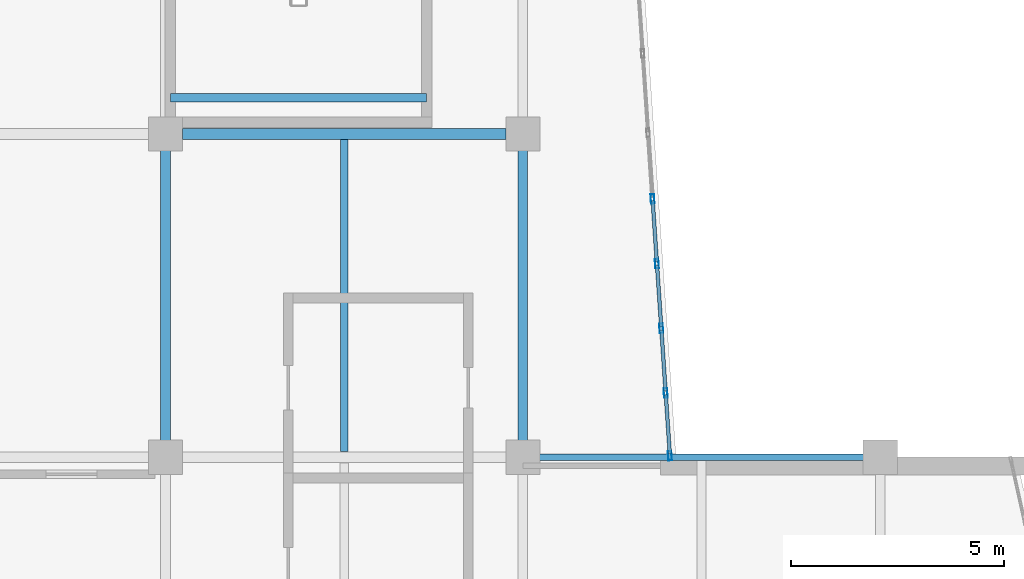
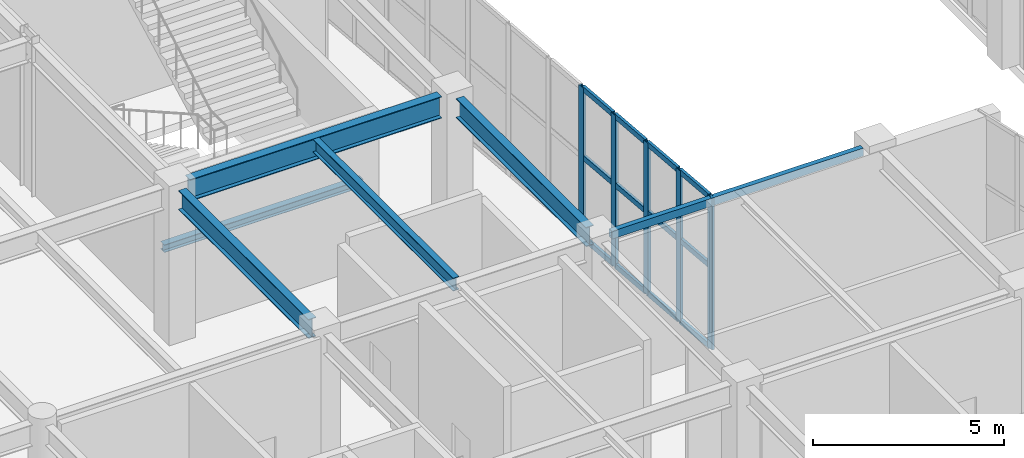
# One storey, part 19 of 128: 17 members, 6 beams, 1 element without a shape of its own.
"""IFC4 building model written with IfcOpenShell, lengths in metres."""

import ifcopenshell
import ifcopenshell.guid

model = None  # the IFC model being written
_history = None  # IfcOwnerHistory: only IFC2X3 demands one
_inside = {}  # id of a spatial element -> (the spatial element, [elements in it])
_under = {}  # id of a project, library or spatial element -> (it, [spatial elements below it])
_declared = {}  # id of a project -> (the project, [libraries it declares])
_typed = {}  # id of a type object -> (the type object, [elements of that type])
_made_of = {}  # id of a material, layer set ... -> (it, [elements and type objects made of it])


def new_model(schema):
    """Start an empty IFC model of exactly this schema.

    Asked for "IFC4X3", IfcOpenShell would pick the latest addendum, in which some entities
    have other attributes; the version numbers below select the first issue.
    IFC2X3 requires an IfcOwnerHistory on every rooted entity: one is made here for all.
    """
    global model, _history
    if schema == "IFC4X3":
        model = ifcopenshell.file(schema_version=(4, 3, 0, 0))
    else:
        model = ifcopenshell.file(schema=schema)
    _inside.clear()
    _under.clear()
    _declared.clear()
    _typed.clear()
    _made_of.clear()
    _history = None
    if model.schema == "IFC2X3":
        org = make("IfcOrganization", Name="unknown")
        user = make(
            "IfcPersonAndOrganization",
            ThePerson=make("IfcPerson", FamilyName="unknown"),
            TheOrganization=org,
        )
        app = make(
            "IfcApplication",
            ApplicationDeveloper=org,
            Version="unknown",
            ApplicationFullName="unknown",
            ApplicationIdentifier="unknown",
        )
        _history = make(
            "IfcOwnerHistory",
            OwningUser=user,
            OwningApplication=app,
            ChangeAction="ADDED",
            CreationDate=0,
        )
    return model


def make(cls, **values):
    """One entity of the class cls with the attributes given. An attribute that is None is left unset."""
    return model.create_entity(
        cls, **{name: value for name, value in values.items() if value is not None}
    )


def rooted(cls, **values):
    """An entity with a GlobalId (a new one), such as an element, a storey or a relation."""
    return make(cls, GlobalId=ifcopenshell.guid.new(), OwnerHistory=_history, **values)


def si_unit(unit_type, name, prefix=None):
    """IfcSIUnit, for example si_unit("LENGTHUNIT", "METRE", prefix="MILLI")."""
    return make("IfcSIUnit", UnitType=unit_type, Prefix=prefix, Name=name)


def assignment(units):
    """IfcUnitAssignment: the units of a project."""
    return None if units is None else make("IfcUnitAssignment", Units=units)


def point(xyz):
    """IfcCartesianPoint."""
    return None if xyz is None else make("IfcCartesianPoint", Coordinates=xyz)


def direction(xyz):
    """IfcDirection."""
    return None if xyz is None else make("IfcDirection", DirectionRatios=xyz)


def frame(location, z_axis=None, x_axis=None):
    """IfcAxis2Placement3D, a coordinate frame: its origin and axes. An axis left out is left unset."""
    return make(
        "IfcAxis2Placement3D",
        Location=point(location),
        Axis=direction(z_axis),
        RefDirection=direction(x_axis),
    )


def frame_2d(location, x_axis=None):
    """IfcAxis2Placement2D, a coordinate frame in the plane: its origin and x axis."""
    return make(
        "IfcAxis2Placement2D", Location=point(location), RefDirection=direction(x_axis)
    )


def origin():
    """The frame at (0, 0, 0) with its axes left unset."""
    return frame((0.0, 0.0, 0.0))


def origin_2d():
    """The frame at (0, 0) in the plane with its x axis left unset."""
    return frame_2d((0.0, 0.0))


def place(relative_to, where):
    """IfcLocalPlacement: puts the frame where relative to a parent placement (None: the world)."""
    return make(
        "IfcLocalPlacement", PlacementRelTo=relative_to, RelativePlacement=where
    )


def context(
    kind, dimensions, precision=None, world=None, true_north=None, identifier=None
):
    """IfcGeometricRepresentationContext, for example the 3D "Model" context."""
    return make(
        "IfcGeometricRepresentationContext",
        ContextIdentifier=identifier,
        ContextType=kind,
        CoordinateSpaceDimension=dimensions,
        Precision=precision,
        WorldCoordinateSystem=world,
        TrueNorth=true_north,
    )


def subcontext(parent, identifier, kind, view, scale=None):
    """IfcGeometricRepresentationSubContext, for example "Body" below "Model"."""
    return make(
        "IfcGeometricRepresentationSubContext",
        ContextIdentifier=identifier,
        ContextType=kind,
        ParentContext=parent,
        TargetScale=scale,
        TargetView=view,
    )


def project(units=None, contexts=None):
    """IfcProject with its units and contexts."""
    return rooted(
        "IfcProject",
        Name="project",
        RepresentationContexts=contexts,
        UnitsInContext=assignment(units),
    )


def spatial(cls, under=None, at=None, **own):
    """A site, building, storey or space (cls), placed at a placement, below another one or the project."""
    s = rooted(cls, ObjectPlacement=at, **own)
    if under is not None:
        _under.setdefault(under.id(), (under, []))[1].append(s)
    return s


def profile(cls, at=None, kind="AREA", **sizes):
    """A parametric profile (cls). Its sizes go by their IFC names, for example OverallWidth=200.0."""
    return make(cls, ProfileType=kind, Position=at, **sizes)


def hollow_rectangle(**sizes):
    """IfcRectangleHollowProfileDef."""
    return profile("IfcRectangleHollowProfileDef", **sizes)


def i_section(**sizes):
    """IfcIShapeProfileDef."""
    return profile("IfcIShapeProfileDef", **sizes)


def extrude(swept, where, along, depth):
    """IfcExtrudedAreaSolid: the profile swept, set in the frame where, extruded along a direction by depth."""
    return make(
        "IfcExtrudedAreaSolid",
        SweptArea=swept,
        Position=where,
        ExtrudedDirection=direction(along),
        Depth=depth,
    )


def shape(context_of_items, identifier, shape_type, items):
    """IfcShapeRepresentation: the items that make up one representation, for example the "Body"."""
    return make(
        "IfcShapeRepresentation",
        ContextOfItems=context_of_items,
        RepresentationIdentifier=identifier,
        RepresentationType=shape_type,
        Items=items,
    )


def material(Name=None, Category=None):
    """IfcMaterial."""
    return make("IfcMaterial", Name=Name, Category=Category)


def layer(
    of_material, thickness, ventilated=None, Name=None, Category=None, Priority=None
):
    """IfcMaterialLayer: one layer of a wall or slab, of a material (None: an air gap)."""
    return make(
        "IfcMaterialLayer",
        Material=of_material,
        LayerThickness=thickness,
        IsVentilated=ventilated,
        Name=Name,
        Category=Category,
        Priority=Priority,
    )


def layer_set(layers, Name=None):
    """IfcMaterialLayerSet."""
    return make("IfcMaterialLayerSet", MaterialLayers=layers, LayerSetName=Name)


def material_profile(
    of_material, cross_section, Name=None, Category=None, Priority=None
):
    """IfcMaterialProfile: a cross section and its material."""
    return make(
        "IfcMaterialProfile",
        Name=Name,
        Material=of_material,
        Profile=cross_section,
        Priority=Priority,
        Category=Category,
    )


def profile_set(profiles, Name=None, composite=None):
    """IfcMaterialProfileSet."""
    return make(
        "IfcMaterialProfileSet",
        Name=Name,
        MaterialProfiles=profiles,
        CompositeProfile=composite,
    )


def made_of(thing, what):
    """Note that an element or type object is made of a material, layer set ...; save() writes the relation."""
    if what is not None:
        _made_of.setdefault(what.id(), (what, []))[1].append(thing)
    return thing


def type_object(cls, material=None, **own):
    """A type object (cls), such as IfcWallType, which elements share."""
    return made_of(rooted(cls, **own), material)


def element(
    cls,
    number,
    at=None,
    inside=None,
    cuts=None,
    type_object=None,
    material=None,
    context=None,
    identifier="Body",
    shape_type=None,
    held_by="IfcProductDefinitionShape",
    body=None,
    shapes=None,
    **own,
):
    """One element of the class cls, such as IfcWall. Its Tag is "e" and its number.

    at: its placement. inside: the storey or other place that contains it. cuts: it is an
    opening in that element (IfcRelVoidsElement). A single representation is given by context,
    identifier, shape_type and body (its items); several are given by shapes. held_by: the class
    of the entity that holds the representations. save() writes the other relations.
    """
    e = rooted(cls, Tag="e%d" % number, ObjectPlacement=at, **own)
    if body is not None:
        shapes = [shape(context, identifier, shape_type, body)]
    if shapes is not None:
        e.Representation = make(held_by, Representations=shapes)
    if inside is not None:
        _inside.setdefault(inside.id(), (inside, []))[1].append(e)
    if cuts is not None:
        rooted(
            "IfcRelVoidsElement", RelatingBuildingElement=cuts, RelatedOpeningElement=e
        )
    if type_object is not None:
        _typed.setdefault(type_object.id(), (type_object, []))[1].append(e)
    return made_of(e, material)


def aggregate(whole, parts):
    """IfcRelAggregates: a whole, such as a stair, and the parts it consists of."""
    return rooted("IfcRelAggregates", RelatingObject=whole, RelatedObjects=parts)


def save(model, path):
    """Write the relations noted so far, then the file.

    IfcRelAggregates (storeys below a building ...), IfcRelContainedInSpatialStructure (elements
    in a storey), IfcRelDefinesByType, IfcRelAssociatesMaterial and IfcRelDeclares: one each for
    every whole, place, type object, material and project.
    """
    for whole, parts in _under.values():
        aggregate(whole, parts)
    for where, things in _inside.values():
        rooted(
            "IfcRelContainedInSpatialStructure",
            RelatedElements=things,
            RelatingStructure=where,
        )
    for kind, things in _typed.values():
        rooted("IfcRelDefinesByType", RelatedObjects=things, RelatingType=kind)
    for what, things in _made_of.values():
        rooted("IfcRelAssociatesMaterial", RelatedObjects=things, RelatingMaterial=what)
    for by, libraries in _declared.values():
        rooted("IfcRelDeclares", RelatingContext=by, RelatedDefinitions=libraries)
    model.write(path)


model = new_model("IFC4")

# Units and contexts
model_context = context("Model", 3, precision=1e-05, world=origin(), true_north=direction((0.0, 1.0)))
body_context = subcontext(model_context, "Body", "Model", "MODEL_VIEW")
ifc_project = project(units=[si_unit("LENGTHUNIT", "METRE"), si_unit("AREAUNIT", "SQUARE_METRE"), si_unit("VOLUMEUNIT", "CUBIC_METRE"), si_unit("PLANEANGLEUNIT", "RADIAN"), si_unit("MASSUNIT", "GRAM", prefix="KILO")], contexts=[model_context])

# Site, building, storey
site_placement = place(None, origin())
site = spatial("IfcSite", under=ifc_project, at=site_placement, CompositionType="ELEMENT")
building_placement = place(site_placement, origin())
building = spatial("IfcBuilding", under=site, at=building_placement, Name="Xicomal Pleat Aquarium", CompositionType="ELEMENT")
storey_placement = place(building_placement, frame((0.0, 0.0, 5.39990234375)))
storey = spatial("IfcBuildingStorey", under=building, at=storey_placement, Name="L02", CompositionType="ELEMENT", Elevation=5.39990234375)

# Beams
ifc_material_1 = material(Name="Structural steel A992 Gr 50", Category="steel")
ifc_material_profile_1 = material_profile(ifc_material_1, i_section(OverallWidth=0.201904296875, OverallDepth=0.2470703125, WebThickness=0.00732421875, FlangeThickness=0.010986328125, at=origin_2d()), Name="IR 250x49")
ifc_profile_set_1 = profile_set([ifc_material_profile_1], Name="Structural steel A992 Gr 50")
beam_type_1 = type_object("IfcBeamType", Name="BM-STL-IR250", PredefinedType="JOIST", material=ifc_profile_set_1)
beam_1_placement = place(storey_placement, frame((18.719970703125, 46.449951171875, 2.22900390625), z_axis=(1.0, 0.0, 0.0), x_axis=(0.0, 1.0, 0.0)))
element("IfcBeam", 1, at=beam_1_placement, inside=storey, type_object=beam_type_1, Name="ST-04-L02 half-landing bearer beam 1", PredefinedType="JOIST", context=body_context, shape_type="SweptSolid", body=[
    extrude(i_section(OverallWidth=0.201904296875, OverallDepth=0.2470703125, WebThickness=0.00732421875, FlangeThickness=0.010986328125, at=origin_2d()), origin(), (0.0, 0.0, 1.0), 6.02001953125),
])
ifc_material_2 = material(Name="Structural steel A992 Gr 50", Category="steel")
ifc_material_profile_2 = material_profile(ifc_material_2, i_section(OverallWidth=0.180908203125, OverallDepth=0.4169921875, WebThickness=0.010986328125, FlangeThickness=0.018310546875, at=origin_2d()), Name="IR 410x85")
ifc_profile_set_2 = profile_set([ifc_material_profile_2], Name="Structural steel A992 Gr 50")
beam_type_2 = type_object("IfcBeamType", Name="BM-STL-IR410", PredefinedType="JOIST", material=ifc_profile_set_2)
beam_2_placement = place(storey_placement, frame((22.800048828125, 38.131103515625, 4.66650390625), z_axis=(0.0, 1.0, 0.0), x_axis=(-1.0, 0.0, 0.0)))
element("IfcBeam", 2, at=beam_2_placement, inside=storey, type_object=beam_type_2, Name="L02 framing beam FBJ-L02-03-F-1", PredefinedType="JOIST", context=body_context, shape_type="SweptSolid", body=[
    extrude(i_section(OverallWidth=0.180908203125, OverallDepth=0.4169921875, WebThickness=0.010986328125, FlangeThickness=0.018310546875, at=origin_2d()), origin(), (0.0, 0.0, 1.0), 7.337890625),
])
ifc_material_3 = material(Name="Structural steel A992 Gr 50", Category="steel")
ifc_material_profile_3 = material_profile(ifc_material_3, i_section(OverallWidth=0.22998046875, OverallDepth=0.616943359375, WebThickness=0.01318359375, FlangeThickness=0.022216796875, at=origin_2d()), Name="IR 610x140")
ifc_profile_set_3 = profile_set([ifc_material_profile_3], Name="Structural steel A992 Gr 50")
beam_type_3 = type_object("IfcBeamType", Name="BM-STL-IR610", PredefinedType="BEAM", material=ifc_profile_set_3)
for number, where, z_axis, x_axis, name in (
    (3, (18.60009765625, 38.39501953125, 4.566650390625), (0.0, 1.0, 0.0), (-1.0, 0.0, 0.0), "L02 framing beam FGY-L02-03-F-G"),
    (4, (27.0, 38.39501953125, 4.566650390625), (0.0, 1.0, 0.0), (-1.0, 0.0, 0.0), "L02 framing beam FGY-L02-04-F-G"),
):
    element("IfcBeam", number, at=place(storey_placement, frame(where, z_axis=z_axis, x_axis=x_axis)), inside=storey, type_object=beam_type_3, Name=name, PredefinedType="BEAM", context=body_context, shape_type="SweptSolid", body=[
        extrude(i_section(OverallWidth=0.22998046875, OverallDepth=0.616943359375, WebThickness=0.01318359375, FlangeThickness=0.022216796875, at=origin_2d()), origin(), (0.0, 0.0, 1.0), 6.81005859375),
    ])
ifc_material_4 = material(Name="Structural steel A992 Gr 50", Category="steel")
ifc_material_profile_4 = material_profile(ifc_material_4, i_section(OverallWidth=0.256103515625, OverallDepth=0.693115234375, WebThickness=0.014404296875, FlangeThickness=0.023681640625, at=origin_2d()), Name="IR 690x170")
ifc_profile_set_4 = profile_set([ifc_material_profile_4], Name="Structural steel A992 Gr 50")
beam_type_4 = type_object("IfcBeamType", Name="BM-STL-IR690", PredefinedType="BEAM", material=ifc_profile_set_4)
beam_3_placement = place(storey_placement, frame((18.9951171875, 45.60009765625, 4.528564453125), z_axis=(1.0, 0.0, 0.0), x_axis=(0.0, 1.0, 0.0)))
element("IfcBeam", 5, at=beam_3_placement, inside=storey, type_object=beam_type_4, Name="L02 framing beam FGX-L02-03-04-G", PredefinedType="BEAM", context=body_context, shape_type="SweptSolid", body=[
    extrude(i_section(OverallWidth=0.256103515625, OverallDepth=0.693115234375, WebThickness=0.014404296875, FlangeThickness=0.023681640625, at=origin_2d()), origin(), (0.0, 0.0, 1.0), 7.60986328125),
])
ifc_material_5 = material(Name="Structural steel A500 Gr C", Category="steel")
ifc_material_profile_5 = material_profile(ifc_material_5, hollow_rectangle(XDim=0.14990234375, YDim=0.25, WallThickness=0.010009765625, at=origin_2d()), Name="OR 250x150x10")
ifc_profile_set_5 = profile_set([ifc_material_profile_5], Name="Structural steel A500 Gr C")
beam_type_5 = type_object("IfcBeamType", Name="BM-STL-OR250", PredefinedType="SPANDREL", material=ifc_profile_set_5)
beam_4_placement = place(storey_placement, frame((27.39501953125, 38.0, 4.735107421875), z_axis=(1.0, 0.0, 0.0), x_axis=(0.0, 1.0, 0.0)))
element("IfcBeam", 6, at=beam_4_placement, inside=storey, type_object=beam_type_5, Name="L02 framing beam FGX-L02-04-05-F", PredefinedType="SPANDREL", context=body_context, shape_type="SweptSolid", body=[
    extrude(hollow_rectangle(XDim=0.14990234375, YDim=0.25, WallThickness=0.010009765625, at=origin_2d()), origin(), (0.0, 0.0, 1.0), 7.60986328125),
])

# Curtain wall, members
ifc_material_6 = material(Name="Bronze anodized aluminium 6063-T6", Category="aluminium")
ifc_layer = layer(ifc_material_6, 0.159912109375)
ifc_layer_set = layer_set([ifc_layer], Name="Bronze anodized aluminium 6063-T6")
curtain_wall_type = type_object("IfcCurtainWallType", Name="CW-SYS-12", PredefinedType="NOTDEFINED", material=ifc_layer_set)
curtain_wall_placement = place(storey_placement, origin())
curtain_wall = element("IfcCurtainWall", 7, at=curtain_wall_placement, inside=storey, type_object=curtain_wall_type, Name="L02 unitised curtain wall CW-L02-137", PredefinedType="NOTDEFINED")
ifc_material_7 = material(Name="Bronze anodized aluminium 6063-T6", Category="aluminium")
ifc_material_profile_6 = material_profile(ifc_material_7, hollow_rectangle(XDim=0.0849609375, YDim=0.219970703125, WallThickness=0.0048828125, at=origin_2d()), Name="ALU MULL 85x220")
ifc_profile_set_6 = profile_set([ifc_material_profile_6], Name="Bronze anodized aluminium 6063-T6")
member_type_1 = type_object("IfcMemberType", Name="CWM-85x220", PredefinedType="MULLION", material=ifc_profile_set_6)
member_1_placement = place(storey_placement, frame((30.048828125, 44.071044921875, 0.0), z_axis=(0.0, 0.0, 1.0), x_axis=(0.997720800637, 0.067477433092, 0.0)))
member_1 = element("IfcMember", 8, at=member_1_placement, type_object=member_type_1, Name="CW-12 mullion 2", PredefinedType="MULLION", context=body_context, shape_type="SweptSolid", body=[
    extrude(hollow_rectangle(XDim=0.0849609375, YDim=0.219970703125, WallThickness=0.0048828125, at=origin_2d()), origin(), (0.0, 0.0, 1.0), 4.860107421875),
])
member_2_placement = place(storey_placement, frame((30.151611328125, 42.551025390625, 0.0), z_axis=(0.0, 0.0, 1.0), x_axis=(0.997720800637, 0.067477433092, 0.0)))
member_2 = element("IfcMember", 9, at=member_2_placement, type_object=member_type_1, Name="CW-12 mullion 3", PredefinedType="MULLION", context=body_context, shape_type="SweptSolid", body=[
    extrude(hollow_rectangle(XDim=0.0849609375, YDim=0.219970703125, WallThickness=0.0048828125, at=origin_2d()), origin(), (0.0, 0.0, 1.0), 4.860107421875),
])
member_3_placement = place(storey_placement, frame((30.25439453125, 41.031005859375, 0.0), z_axis=(0.0, 0.0, 1.0), x_axis=(0.997720800637, 0.067477433092, 0.0)))
member_3 = element("IfcMember", 10, at=member_3_placement, type_object=member_type_1, Name="CW-12 mullion 4", PredefinedType="MULLION", context=body_context, shape_type="SweptSolid", body=[
    extrude(hollow_rectangle(XDim=0.0849609375, YDim=0.219970703125, WallThickness=0.0048828125, at=origin_2d()), origin(), (0.0, 0.0, 1.0), 4.860107421875),
])
member_4_placement = place(storey_placement, frame((30.357177734375, 39.510986328125, 0.0), z_axis=(0.0, 0.0, 1.0), x_axis=(0.997720800637, 0.067477433092, 0.0)))
member_4 = element("IfcMember", 11, at=member_4_placement, type_object=member_type_1, Name="CW-12 mullion 5", PredefinedType="MULLION", context=body_context, shape_type="SweptSolid", body=[
    extrude(hollow_rectangle(XDim=0.0849609375, YDim=0.219970703125, WallThickness=0.0048828125, at=origin_2d()), origin(), (0.0, 0.0, 1.0), 4.860107421875),
])
member_5_placement = place(storey_placement, frame((30.45703125, 38.033447265625, 0.0), z_axis=(0.0, 0.0, 1.0), x_axis=(0.997720800637, 0.067477433092, 0.0)))
member_5 = element("IfcMember", 12, at=member_5_placement, type_object=member_type_1, Name="CW-12 mullion 6", PredefinedType="MULLION", context=body_context, shape_type="SweptSolid", body=[
    extrude(hollow_rectangle(XDim=0.0849609375, YDim=0.219970703125, WallThickness=0.0048828125, at=origin_2d()), origin(), (0.0, 0.0, 1.0), 4.860107421875),
])
ifc_material_8 = material(Name="Bronze anodized aluminium 6063-T6", Category="aluminium")
ifc_material_profile_7 = material_profile(ifc_material_8, hollow_rectangle(XDim=0.0849609375, YDim=0.169921875, WallThickness=0.0048828125, at=origin_2d()), Name="ALU TRAN 85x170")
ifc_profile_set_7 = profile_set([ifc_material_profile_7], Name="Bronze anodized aluminium 6063-T6")
member_type_2 = type_object("IfcMemberType", Name="CWT-85x170", PredefinedType="USERDEFINED", material=ifc_profile_set_7)
member_6_placement = place(storey_placement, frame((30.0517578125, 44.028564453125, 0.04248046875), z_axis=(0.067386457785, -0.997726949274, 0.0), x_axis=(0.997726949274, 0.067386457785, 0.0)))
member_6 = element("IfcMember", 13, at=member_6_placement, type_object=member_type_2, Name="CW-12 transom 2.1", ObjectType="TRANSOM", PredefinedType="USERDEFINED", context=body_context, shape_type="SweptSolid", body=[
    extrude(hollow_rectangle(XDim=0.0849609375, YDim=0.169921875, WallThickness=0.0048828125, at=origin_2d()), origin(), (0.0, 0.0, 1.0), 1.438232421875),
])
member_7_placement = place(storey_placement, frame((30.0517578125, 44.028564453125, 2.6240234375), z_axis=(0.067386457785, -0.997726949274, 0.0), x_axis=(0.997726949274, 0.067386457785, 0.0)))
member_7 = element("IfcMember", 14, at=member_7_placement, type_object=member_type_2, Name="CW-12 transom 2.2", ObjectType="TRANSOM", PredefinedType="USERDEFINED", context=body_context, shape_type="SweptSolid", body=[
    extrude(hollow_rectangle(XDim=0.0849609375, YDim=0.169921875, WallThickness=0.0048828125, at=origin_2d()), origin(), (0.0, 0.0, 1.0), 1.438232421875),
])
member_8_placement = place(storey_placement, frame((30.0517578125, 44.028564453125, 4.817626953125), z_axis=(0.067386457785, -0.997726949274, 0.0), x_axis=(0.997726949274, 0.067386457785, 0.0)))
member_8 = element("IfcMember", 15, at=member_8_placement, type_object=member_type_2, Name="CW-12 transom 2.3", ObjectType="TRANSOM", PredefinedType="USERDEFINED", context=body_context, shape_type="SweptSolid", body=[
    extrude(hollow_rectangle(XDim=0.0849609375, YDim=0.169921875, WallThickness=0.0048828125, at=origin_2d()), origin(), (0.0, 0.0, 1.0), 1.438232421875),
])
member_9_placement = place(storey_placement, frame((30.154541015625, 42.508544921875, 0.04248046875), z_axis=(0.067386457785, -0.997726949274, 0.0), x_axis=(0.997726949274, 0.067386457785, 0.0)))
member_9 = element("IfcMember", 16, at=member_9_placement, type_object=member_type_2, Name="CW-12 transom 3.1", ObjectType="TRANSOM", PredefinedType="USERDEFINED", context=body_context, shape_type="SweptSolid", body=[
    extrude(hollow_rectangle(XDim=0.0849609375, YDim=0.169921875, WallThickness=0.0048828125, at=origin_2d()), origin(), (0.0, 0.0, 1.0), 1.438232421875),
])
member_10_placement = place(storey_placement, frame((30.154541015625, 42.508544921875, 2.6240234375), z_axis=(0.067386457785, -0.997726949274, 0.0), x_axis=(0.997726949274, 0.067386457785, 0.0)))
member_10 = element("IfcMember", 17, at=member_10_placement, type_object=member_type_2, Name="CW-12 transom 3.2", ObjectType="TRANSOM", PredefinedType="USERDEFINED", context=body_context, shape_type="SweptSolid", body=[
    extrude(hollow_rectangle(XDim=0.0849609375, YDim=0.169921875, WallThickness=0.0048828125, at=origin_2d()), origin(), (0.0, 0.0, 1.0), 1.438232421875),
])
member_11_placement = place(storey_placement, frame((30.154541015625, 42.508544921875, 4.817626953125), z_axis=(0.067386457785, -0.997726949274, 0.0), x_axis=(0.997726949274, 0.067386457785, 0.0)))
member_11 = element("IfcMember", 18, at=member_11_placement, type_object=member_type_2, Name="CW-12 transom 3.3", ObjectType="TRANSOM", PredefinedType="USERDEFINED", context=body_context, shape_type="SweptSolid", body=[
    extrude(hollow_rectangle(XDim=0.0849609375, YDim=0.169921875, WallThickness=0.0048828125, at=origin_2d()), origin(), (0.0, 0.0, 1.0), 1.438232421875),
])
member_12_placement = place(storey_placement, frame((30.25732421875, 40.988525390625, 0.04248046875), z_axis=(0.067386457785, -0.997726949274, 0.0), x_axis=(0.997726949274, 0.067386457785, 0.0)))
member_12 = element("IfcMember", 19, at=member_12_placement, type_object=member_type_2, Name="CW-12 transom 4.1", ObjectType="TRANSOM", PredefinedType="USERDEFINED", context=body_context, shape_type="SweptSolid", body=[
    extrude(hollow_rectangle(XDim=0.0849609375, YDim=0.169921875, WallThickness=0.0048828125, at=origin_2d()), origin(), (0.0, 0.0, 1.0), 1.438232421875),
])
member_13_placement = place(storey_placement, frame((30.25732421875, 40.988525390625, 2.6240234375), z_axis=(0.067386457785, -0.997726949274, 0.0), x_axis=(0.997726949274, 0.067386457785, 0.0)))
member_13 = element("IfcMember", 20, at=member_13_placement, type_object=member_type_2, Name="CW-12 transom 4.2", ObjectType="TRANSOM", PredefinedType="USERDEFINED", context=body_context, shape_type="SweptSolid", body=[
    extrude(hollow_rectangle(XDim=0.0849609375, YDim=0.169921875, WallThickness=0.0048828125, at=origin_2d()), origin(), (0.0, 0.0, 1.0), 1.438232421875),
])
member_14_placement = place(storey_placement, frame((30.25732421875, 40.988525390625, 4.817626953125), z_axis=(0.067386457785, -0.997726949274, 0.0), x_axis=(0.997726949274, 0.067386457785, 0.0)))
member_14 = element("IfcMember", 21, at=member_14_placement, type_object=member_type_2, Name="CW-12 transom 4.3", ObjectType="TRANSOM", PredefinedType="USERDEFINED", context=body_context, shape_type="SweptSolid", body=[
    extrude(hollow_rectangle(XDim=0.0849609375, YDim=0.169921875, WallThickness=0.0048828125, at=origin_2d()), origin(), (0.0, 0.0, 1.0), 1.438232421875),
])
member_15_placement = place(storey_placement, frame((30.360107421875, 39.468505859375, 0.04248046875), z_axis=(0.067505607952, -0.997718894727, 0.0), x_axis=(0.997718894727, 0.067505607952, 0.0)))
member_15 = element("IfcMember", 22, at=member_15_placement, type_object=member_type_2, Name="CW-12 transom 5.1", ObjectType="TRANSOM", PredefinedType="USERDEFINED", context=body_context, shape_type="SweptSolid", body=[
    extrude(hollow_rectangle(XDim=0.0849609375, YDim=0.169921875, WallThickness=0.0048828125, at=origin_2d()), origin(), (0.0, 0.0, 1.0), 1.39599609375),
])
member_16_placement = place(storey_placement, frame((30.360107421875, 39.468505859375, 2.6240234375), z_axis=(0.067505607952, -0.997718894727, 0.0), x_axis=(0.997718894727, 0.067505607952, 0.0)))
member_16 = element("IfcMember", 23, at=member_16_placement, type_object=member_type_2, Name="CW-12 transom 5.2", ObjectType="TRANSOM", PredefinedType="USERDEFINED", context=body_context, shape_type="SweptSolid", body=[
    extrude(hollow_rectangle(XDim=0.0849609375, YDim=0.169921875, WallThickness=0.0048828125, at=origin_2d()), origin(), (0.0, 0.0, 1.0), 1.39599609375),
])
member_17_placement = place(storey_placement, frame((30.360107421875, 39.468505859375, 4.817626953125), z_axis=(0.067505607952, -0.997718894727, 0.0), x_axis=(0.997718894727, 0.067505607952, 0.0)))
member_17 = element("IfcMember", 24, at=member_17_placement, type_object=member_type_2, Name="CW-12 transom 5.3", ObjectType="TRANSOM", PredefinedType="USERDEFINED", context=body_context, shape_type="SweptSolid", body=[
    extrude(hollow_rectangle(XDim=0.0849609375, YDim=0.169921875, WallThickness=0.0048828125, at=origin_2d()), origin(), (0.0, 0.0, 1.0), 1.39599609375),
])
aggregate(curtain_wall, [member_1, member_2, member_3, member_4, member_5, member_6, member_7, member_8, member_9, member_10, member_11, member_12, member_13, member_14, member_15, member_16, member_17])

save(model, "model.ifc")
